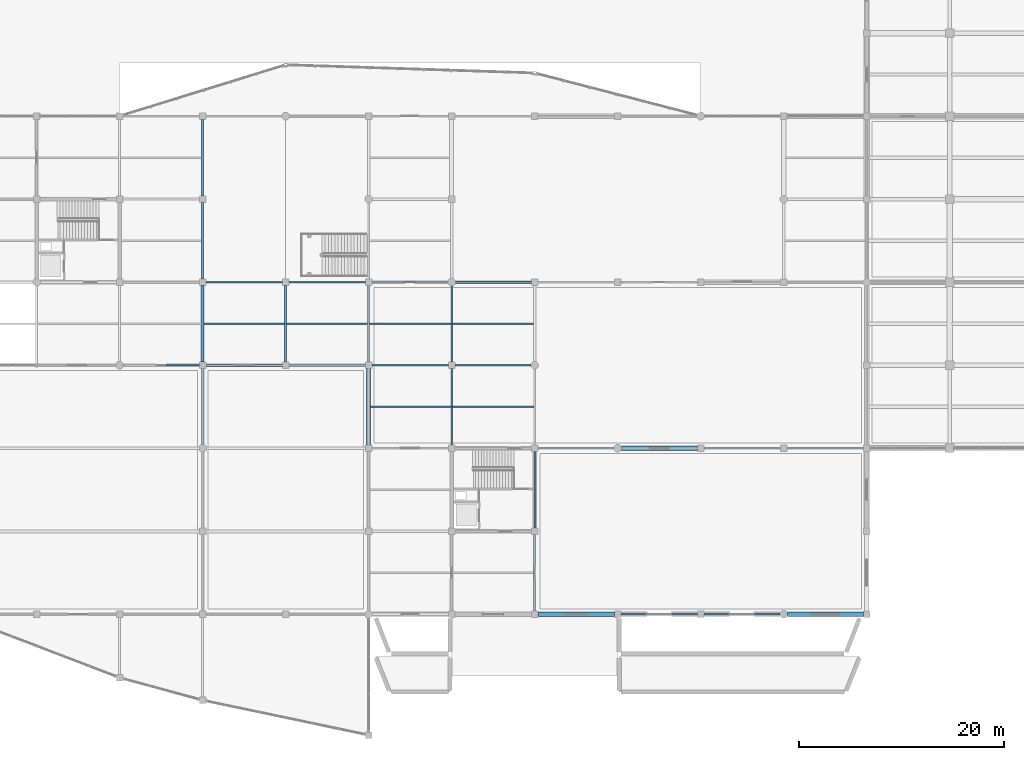
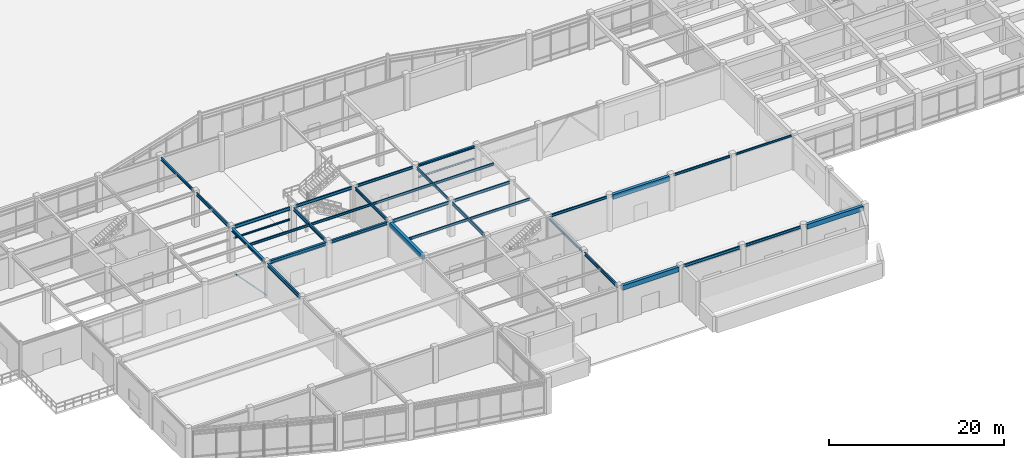
# One storey, part 27 of 99: 35 beams, 1 member.
"""IFC4 building model written with IfcOpenShell, lengths in metres."""

from ifc_helpers import new_model, si_unit, direction, frame, origin, origin_2d, place, context, subcontext, project, spatial, rectangle, hollow_rectangle, i_section, extrude, material, material_profile, profile_set, type_object, element, save


model = new_model("IFC4")

# Units and contexts
model_context = context("Model", 3, precision=1e-05, world=origin(), true_north=direction((0.0, 1.0)))
body_context = subcontext(model_context, "Body", "Model", "MODEL_VIEW")
ifc_project = project(units=[si_unit("LENGTHUNIT", "METRE"), si_unit("AREAUNIT", "SQUARE_METRE"), si_unit("VOLUMEUNIT", "CUBIC_METRE"), si_unit("PLANEANGLEUNIT", "RADIAN"), si_unit("MASSUNIT", "GRAM", prefix="KILO")], contexts=[model_context])

# Site, building, storey
site_placement = place(None, origin())
site = spatial("IfcSite", under=ifc_project, at=site_placement, CompositionType="ELEMENT")
building_placement = place(site_placement, origin())
building = spatial("IfcBuilding", under=site, at=building_placement, Name="Vaudrelin Polytechnic", CompositionType="ELEMENT")
storey_placement = place(building_placement, origin())
storey = spatial("IfcBuildingStorey", under=building, at=storey_placement, Name="L00", CompositionType="ELEMENT", Elevation=0.0)

# Beams
ifc_material_1 = material(Name="Steel CSA G40.21 350W", Category="steel")
ifc_material_profile_1 = material_profile(ifc_material_1, i_section(OverallWidth=0.178955078125, OverallDepth=0.409912109375, WebThickness=0.0087890625, FlangeThickness=0.014404296875, FilletRadius=0.01611328125, at=origin_2d()), Name="W410x67")
ifc_profile_set_1 = profile_set([ifc_material_profile_1], Name="Steel CSA G40.21 350W")
beam_type_1 = type_object("IfcBeamType", Name="BM-BM-W410", PredefinedType="BEAM", material=ifc_profile_set_1)
for number, where, z_axis, x_axis, name in (
    (1, (64.800048828125, 40.81005859375, 4.614990234375), (0.0, 1.0, 0.0), (-1.0, 0.0, 0.0), "L00 Y-beam 9-6"),
    (2, (81.0, 24.610107421875, 4.614990234375), (0.0, 1.0, 0.0), (-1.0, 0.0, 0.0), "L00 Y-beam 11-4"),
    (3, (89.10009765625, 16.510009765625, 4.614990234375), (0.0, 1.0, 0.0), (-1.0, 0.0, 0.0), "L00 Y-beam 12-3"),
    (4, (97.199951171875, 8.409912109375, 4.614990234375), (0.0, 1.0, 0.0), (-1.0, 0.0, 0.0), "L00 Y-beam 13-2"),
):
    element("IfcBeam", number, at=place(storey_placement, frame(where, z_axis=z_axis, x_axis=x_axis)), inside=storey, type_object=beam_type_1, Name=name, PredefinedType="BEAM", context=body_context, shape_type="SweptSolid", body=[
        extrude(i_section(OverallWidth=0.178955078125, OverallDepth=0.409912109375, WebThickness=0.0087890625, FlangeThickness=0.014404296875, FilletRadius=0.01611328125, at=origin_2d()), origin(), (0.0, 0.0, 1.0), 7.47998046875),
    ])
for number, where, z_axis, x_axis, name in (
    (5, (73.220947265625, 32.39990234375, 4.614990234375), (1.0, 0.0, 0.0), (0.0, 1.0, 0.0), "L00 X-beam 10-5"),
    (6, (81.321044921875, 24.300048828125, 4.614990234375), (1.0, 0.0, 0.0), (0.0, 1.0, 0.0), "L00 X-beam 11-4"),
    (7, (105.62109375, 0.0, 4.614990234375), (1.0, 0.0, 0.0), (0.0, 1.0, 0.0), "L00 X-beam 14-1"),
):
    element("IfcBeam", number, at=place(storey_placement, frame(where, z_axis=z_axis, x_axis=x_axis)), inside=storey, type_object=beam_type_1, Name=name, PredefinedType="BEAM", context=body_context, shape_type="SweptSolid", body=[
        extrude(i_section(OverallWidth=0.178955078125, OverallDepth=0.409912109375, WebThickness=0.0087890625, FlangeThickness=0.014404296875, FilletRadius=0.01611328125, at=origin_2d()), origin(), (0.0, 0.0, 1.0), 7.4580078125),
    ])
ifc_material_2 = material(Name="Steel CSA G40.21 350WT", Category="steel")
ifc_material_profile_2 = material_profile(ifc_material_2, i_section(OverallWidth=0.260009765625, OverallDepth=0.4150390625, WebThickness=0.010009765625, FlangeThickness=0.016845703125, FilletRadius=0.01611328125, at=origin_2d()), Name="W410x100")
ifc_profile_set_2 = profile_set([ifc_material_profile_2], Name="Steel CSA G40.21 350WT")
beam_type_2 = type_object("IfcBeamType", Name="BM-BM-W410H", PredefinedType="SPANDREL", material=ifc_profile_set_2)
beam_1_placement = place(storey_placement, frame((73.220947265625, 24.300048828125, 4.612548828125), z_axis=(1.0, 0.0, 0.0), x_axis=(0.0, 1.0, 0.0)))
element("IfcBeam", 8, at=beam_1_placement, inside=storey, type_object=beam_type_2, Name="L00 X-beam 10-4", PredefinedType="SPANDREL", context=body_context, shape_type="SweptSolid", body=[
    extrude(i_section(OverallWidth=0.260009765625, OverallDepth=0.4150390625, WebThickness=0.010009765625, FlangeThickness=0.016845703125, FilletRadius=0.01611328125, at=origin_2d()), origin(), (0.0, 0.0, 1.0), 7.4580078125),
])
ifc_material_profile_3 = material_profile(ifc_material_2, i_section(OverallWidth=0.19091796875, OverallDepth=0.4599609375, WebThickness=0.010009765625, FlangeThickness=0.01611328125, FilletRadius=0.01806640625, at=origin_2d()), Name="W460x82")
ifc_profile_set_3 = profile_set([ifc_material_profile_3], Name="Steel CSA G40.21 350WT")
beam_type_3 = type_object("IfcBeamType", Name="BM-BM-W460", PredefinedType="BEAM", material=ifc_profile_set_3)
for number, where, z_axis, x_axis, name in (
    (9, (64.800048828125, 32.7099609375, 4.590087890625), (0.0, 1.0, 0.0), (-1.0, 0.0, 0.0), "L00 Y-beam 9-5"),
    (10, (72.89990234375, 24.610107421875, 4.590087890625), (0.0, 1.0, 0.0), (-1.0, 0.0, 0.0), "L00 Y-beam 10-4"),
    (11, (97.199951171875, 0.31005859375, 4.590087890625), (0.0, 1.0, 0.0), (-1.0, 0.0, 0.0), "L00 Y-beam 13-1"),
):
    element("IfcBeam", number, at=place(storey_placement, frame(where, z_axis=z_axis, x_axis=x_axis)), inside=storey, type_object=beam_type_3, Name=name, PredefinedType="BEAM", context=body_context, shape_type="SweptSolid", body=[
        extrude(i_section(OverallWidth=0.19091796875, OverallDepth=0.4599609375, WebThickness=0.010009765625, FlangeThickness=0.01611328125, FilletRadius=0.01806640625, at=origin_2d()), origin(), (0.0, 0.0, 1.0), 7.47998046875),
    ])
beam_2_placement = place(storey_placement, frame((65.12109375, 32.39990234375, 4.590087890625), z_axis=(1.0, 0.0, 0.0), x_axis=(0.0, 1.0, 0.0)))
element("IfcBeam", 12, at=beam_2_placement, inside=storey, type_object=beam_type_3, Name="L00 X-beam 9-5", PredefinedType="BEAM", context=body_context, shape_type="SweptSolid", body=[
    extrude(i_section(OverallWidth=0.19091796875, OverallDepth=0.4599609375, WebThickness=0.010009765625, FlangeThickness=0.01611328125, FilletRadius=0.01806640625, at=origin_2d()), origin(), (0.0, 0.0, 1.0), 7.4580078125),
])
ifc_material_profile_4 = material_profile(ifc_material_1, i_section(OverallWidth=0.280029296875, OverallDepth=0.462890625, WebThickness=0.0107421875, FlangeThickness=0.017333984375, FilletRadius=0.01806640625, at=origin_2d()), Name="W460x113")
ifc_profile_set_4 = profile_set([ifc_material_profile_4], Name="Steel CSA G40.21 350W")
beam_type_4 = type_object("IfcBeamType", Name="BM-BM-W460H", PredefinedType="BEAM", material=ifc_profile_set_4)
beam_3_placement = place(storey_placement, frame((64.800048828125, 24.610107421875, 4.58837890625), z_axis=(0.0, 1.0, 0.0), x_axis=(-1.0, 0.0, 0.0)))
element("IfcBeam", 13, at=beam_3_placement, inside=storey, type_object=beam_type_4, Name="L00 Y-beam 9-4", PredefinedType="BEAM", context=body_context, shape_type="SweptSolid", body=[
    extrude(i_section(OverallWidth=0.280029296875, OverallDepth=0.462890625, WebThickness=0.0107421875, FlangeThickness=0.017333984375, FilletRadius=0.01806640625, at=origin_2d()), origin(), (0.0, 0.0, 1.0), 7.47998046875),
])
beam_4_placement = place(storey_placement, frame((65.12109375, 24.300048828125, 4.58837890625), z_axis=(1.0, 0.0, 0.0), x_axis=(0.0, 1.0, 0.0)))
element("IfcBeam", 14, at=beam_4_placement, inside=storey, type_object=beam_type_4, Name="L00 X-beam 9-4", PredefinedType="BEAM", context=body_context, shape_type="SweptSolid", body=[
    extrude(i_section(OverallWidth=0.280029296875, OverallDepth=0.462890625, WebThickness=0.0107421875, FlangeThickness=0.017333984375, FilletRadius=0.01806640625, at=origin_2d()), origin(), (0.0, 0.0, 1.0), 7.4580078125),
])
ifc_material_profile_5 = material_profile(ifc_material_1, i_section(OverallWidth=0.208984375, OverallDepth=0.532958984375, WebThickness=0.01025390625, FlangeThickness=0.015625, FilletRadius=0.01904296875, at=origin_2d()), Name="W530x92")
ifc_profile_set_5 = profile_set([ifc_material_profile_5], Name="Steel CSA G40.21 350W")
beam_type_5 = type_object("IfcBeamType", Name="BM-BM-W530", PredefinedType="BEAM", material=ifc_profile_set_5)
beam_5_placement = place(storey_placement, frame((64.800048828125, 16.56005859375, 4.553466796875), z_axis=(0.0, 1.0, 0.0), x_axis=(-1.0, 0.0, 0.0)))
element("IfcBeam", 15, at=beam_5_placement, inside=storey, type_object=beam_type_5, Name="L00 Y-beam 9-3", PredefinedType="BEAM", context=body_context, shape_type="SweptSolid", body=[
    extrude(i_section(OverallWidth=0.208984375, OverallDepth=0.532958984375, WebThickness=0.01025390625, FlangeThickness=0.015625, FilletRadius=0.01904296875, at=origin_2d()), origin(), (0.0, 0.0, 1.0), 7.429931640625),
])
ifc_material_profile_6 = material_profile(ifc_material_1, i_section(OverallWidth=0.14794921875, OverallDepth=0.26611328125, WebThickness=0.007568359375, FlangeThickness=0.012939453125, FilletRadius=0.012939453125, at=origin_2d()), Name="W250x45")
ifc_profile_set_6 = profile_set([ifc_material_profile_6], Name="Steel CSA G40.21 350W")
beam_type_6 = type_object("IfcBeamType", Name="BM-JS-W250", PredefinedType="JOIST", material=ifc_profile_set_6)
beam_6_placement = place(storey_placement, frame((121.821044921875, 16.199951171875, 4.68701171875), z_axis=(1.0, 0.0, 0.0), x_axis=(0.0, 1.0, 0.0)))
element("IfcBeam", 16, at=beam_6_placement, inside=storey, type_object=beam_type_6, Name="L00 X-beam 16-3", PredefinedType="JOIST", context=body_context, shape_type="SweptSolid", body=[
    extrude(i_section(OverallWidth=0.14794921875, OverallDepth=0.26611328125, WebThickness=0.007568359375, FlangeThickness=0.012939453125, FilletRadius=0.012939453125, at=origin_2d()), origin(), (0.0, 0.0, 1.0), 7.4580078125),
])
ifc_material_profile_7 = material_profile(ifc_material_1, i_section(OverallWidth=0.1669921875, OverallDepth=0.31689453125, WebThickness=0.007568359375, FlangeThickness=0.01318359375, FilletRadius=0.013916015625, at=origin_2d()), Name="W310x52")
ifc_profile_set_7 = profile_set([ifc_material_profile_7], Name="Steel CSA G40.21 350W")
beam_type_7 = type_object("IfcBeamType", Name="BM-JS-W310", PredefinedType="JOIST", material=ifc_profile_set_7)
beam_7_placement = place(storey_placement, frame((64.93603515625, 28.35009765625, 4.66162109375), z_axis=(1.0, 0.0, 0.0), x_axis=(0.0, 1.0, 0.0)))
element("IfcBeam", 17, at=beam_7_placement, inside=storey, type_object=beam_type_7, Name="L00 floor joist 9-4", PredefinedType="JOIST", context=body_context, shape_type="SweptSolid", body=[
    extrude(i_section(OverallWidth=0.1669921875, OverallDepth=0.31689453125, WebThickness=0.007568359375, FlangeThickness=0.01318359375, FilletRadius=0.013916015625, at=origin_2d()), origin(), (0.0, 0.0, 1.0), 7.87255859375),
])
beam_8_placement = place(storey_placement, frame((72.991455078125, 28.35009765625, 4.66162109375), z_axis=(1.0, 0.0, 0.0), x_axis=(0.0, 1.0, 0.0)))
element("IfcBeam", 18, at=beam_8_placement, inside=storey, type_object=beam_type_7, Name="L00 floor joist 10-4", PredefinedType="JOIST", context=body_context, shape_type="SweptSolid", body=[
    extrude(i_section(OverallWidth=0.1669921875, OverallDepth=0.31689453125, WebThickness=0.007568359375, FlangeThickness=0.01318359375, FilletRadius=0.013916015625, at=origin_2d()), origin(), (0.0, 0.0, 1.0), 7.923095703125),
])
beam_9_placement = place(storey_placement, frame((81.196044921875, 20.25, 4.66162109375), z_axis=(1.0, 0.0, 0.0), x_axis=(0.0, 1.0, 0.0)))
element("IfcBeam", 19, at=beam_9_placement, inside=storey, type_object=beam_type_7, Name="L00 floor joist 11-3", PredefinedType="JOIST", context=body_context, shape_type="SweptSolid", body=[
    extrude(i_section(OverallWidth=0.1669921875, OverallDepth=0.31689453125, WebThickness=0.007568359375, FlangeThickness=0.01318359375, FilletRadius=0.013916015625, at=origin_2d()), origin(), (0.0, 0.0, 1.0), 7.818359375),
])
beam_10_placement = place(storey_placement, frame((81.08544921875, 28.35009765625, 4.66162109375), z_axis=(1.0, 0.0, 0.0), x_axis=(0.0, 1.0, 0.0)))
element("IfcBeam", 20, at=beam_10_placement, inside=storey, type_object=beam_type_7, Name="L00 floor joist 11-4", PredefinedType="JOIST", context=body_context, shape_type="SweptSolid", body=[
    extrude(i_section(OverallWidth=0.1669921875, OverallDepth=0.31689453125, WebThickness=0.007568359375, FlangeThickness=0.01318359375, FilletRadius=0.013916015625, at=origin_2d()), origin(), (0.0, 0.0, 1.0), 7.9326171875),
])
beam_11_placement = place(storey_placement, frame((89.185546875, 20.25, 4.66162109375), z_axis=(1.0, 0.0, 0.0), x_axis=(0.0, 1.0, 0.0)))
element("IfcBeam", 21, at=beam_11_placement, inside=storey, type_object=beam_type_7, Name="L00 floor joist 12-3", PredefinedType="JOIST", context=body_context, shape_type="SweptSolid", body=[
    extrude(i_section(OverallWidth=0.1669921875, OverallDepth=0.31689453125, WebThickness=0.007568359375, FlangeThickness=0.01318359375, FilletRadius=0.013916015625, at=origin_2d()), origin(), (0.0, 0.0, 1.0), 7.932373046875),
])
beam_12_placement = place(storey_placement, frame((89.181884765625, 28.35009765625, 4.66162109375), z_axis=(1.0, 0.0, 0.0), x_axis=(0.0, 1.0, 0.0)))
element("IfcBeam", 22, at=beam_12_placement, inside=storey, type_object=beam_type_7, Name="L00 floor joist 12-4", PredefinedType="JOIST", context=body_context, shape_type="SweptSolid", body=[
    extrude(i_section(OverallWidth=0.1669921875, OverallDepth=0.31689453125, WebThickness=0.007568359375, FlangeThickness=0.01318359375, FilletRadius=0.013916015625, at=origin_2d()), origin(), (0.0, 0.0, 1.0), 7.89501953125),
])
beam_13_placement = place(storey_placement, frame((113.720947265625, 16.199951171875, 4.66162109375), z_axis=(1.0, 0.0, 0.0), x_axis=(0.0, 1.0, 0.0)))
element("IfcBeam", 23, at=beam_13_placement, inside=storey, type_object=beam_type_7, Name="L00 X-beam 15-3", PredefinedType="JOIST", context=body_context, shape_type="SweptSolid", body=[
    extrude(i_section(OverallWidth=0.1669921875, OverallDepth=0.31689453125, WebThickness=0.007568359375, FlangeThickness=0.01318359375, FilletRadius=0.013916015625, at=origin_2d()), origin(), (0.0, 0.0, 1.0), 7.4580078125),
])
ifc_material_profile_8 = material_profile(ifc_material_2, i_section(OverallWidth=0.25390625, OverallDepth=0.305908203125, WebThickness=0.0087890625, FlangeThickness=0.0146484375, FilletRadius=0.01611328125, at=origin_2d()), Name="W310x79")
ifc_profile_set_8 = profile_set([ifc_material_profile_8], Name="Steel CSA G40.21 350WT")
beam_type_8 = type_object("IfcBeamType", Name="BM-JS-W310H", PredefinedType="SPANDREL", material=ifc_profile_set_8)
beam_14_placement = place(storey_placement, frame((89.470947265625, 32.39990234375, 4.6669921875), z_axis=(1.0, 0.0, 0.0), x_axis=(0.0, 1.0, 0.0)))
element("IfcBeam", 24, at=beam_14_placement, inside=storey, type_object=beam_type_8, Name="L00 X-beam 12-5", PredefinedType="SPANDREL", context=body_context, shape_type="SweptSolid", body=[
    extrude(i_section(OverallWidth=0.25390625, OverallDepth=0.305908203125, WebThickness=0.0087890625, FlangeThickness=0.0146484375, FilletRadius=0.01611328125, at=origin_2d()), origin(), (0.0, 0.0, 1.0), 7.407958984375),
])
ifc_material_profile_9 = material_profile(ifc_material_1, i_section(OverallWidth=0.172119140625, OverallDepth=0.35791015625, WebThickness=0.0078125, FlangeThickness=0.01318359375, FilletRadius=0.014892578125, at=origin_2d()), Name="W360x57")
ifc_profile_set_9 = profile_set([ifc_material_profile_9], Name="Steel CSA G40.21 350W")
beam_type_9 = type_object("IfcBeamType", Name="BM-JS-W360", PredefinedType="JOIST", material=ifc_profile_set_9)
beam_15_placement = place(storey_placement, frame((89.10009765625, 24.610107421875, 4.64111328125), z_axis=(0.0, 1.0, 0.0), x_axis=(-1.0, 0.0, 0.0)))
element("IfcBeam", 25, at=beam_15_placement, inside=storey, type_object=beam_type_9, Name="L00 Y-beam 12-4", PredefinedType="JOIST", context=body_context, shape_type="SweptSolid", body=[
    extrude(i_section(OverallWidth=0.172119140625, OverallDepth=0.35791015625, WebThickness=0.0078125, FlangeThickness=0.01318359375, FilletRadius=0.014892578125, at=origin_2d()), origin(), (0.0, 0.0, 1.0), 7.429931640625),
])
beam_16_placement = place(storey_placement, frame((81.321044921875, 32.39990234375, 4.64111328125), z_axis=(1.0, 0.0, 0.0), x_axis=(0.0, 1.0, 0.0)))
element("IfcBeam", 26, at=beam_16_placement, inside=storey, type_object=beam_type_9, Name="L00 X-beam 11-5", PredefinedType="JOIST", context=body_context, shape_type="SweptSolid", body=[
    extrude(i_section(OverallWidth=0.172119140625, OverallDepth=0.35791015625, WebThickness=0.0078125, FlangeThickness=0.01318359375, FilletRadius=0.014892578125, at=origin_2d()), origin(), (0.0, 0.0, 1.0), 7.407958984375),
])
beam_17_placement = place(storey_placement, frame((89.4208984375, 24.300048828125, 4.64111328125), z_axis=(1.0, 0.0, 0.0), x_axis=(0.0, 1.0, 0.0)))
element("IfcBeam", 27, at=beam_17_placement, inside=storey, type_object=beam_type_9, Name="L00 X-beam 12-4", PredefinedType="JOIST", context=body_context, shape_type="SweptSolid", body=[
    extrude(i_section(OverallWidth=0.172119140625, OverallDepth=0.35791015625, WebThickness=0.0078125, FlangeThickness=0.01318359375, FilletRadius=0.014892578125, at=origin_2d()), origin(), (0.0, 0.0, 1.0), 7.408203125),
])
for number, where, z_axis, x_axis, name in (
    (28, (97.52099609375, 16.199951171875, 4.64111328125), (1.0, 0.0, 0.0), (0.0, 1.0, 0.0), "L00 X-beam 13-3"),
    (29, (113.720947265625, 0.0, 4.64111328125), (1.0, 0.0, 0.0), (0.0, 1.0, 0.0), "L00 X-beam 15-1"),
):
    element("IfcBeam", number, at=place(storey_placement, frame(where, z_axis=z_axis, x_axis=x_axis)), inside=storey, type_object=beam_type_9, Name=name, PredefinedType="JOIST", context=body_context, shape_type="SweptSolid", body=[
        extrude(i_section(OverallWidth=0.172119140625, OverallDepth=0.35791015625, WebThickness=0.0078125, FlangeThickness=0.01318359375, FilletRadius=0.014892578125, at=origin_2d()), origin(), (0.0, 0.0, 1.0), 7.407958984375),
    ])
ifc_material_profile_10 = material_profile(ifc_material_1, i_section(OverallWidth=0.1650390625, OverallDepth=0.200927734375, WebThickness=0.006103515625, FlangeThickness=0.01025390625, FilletRadius=0.010986328125, at=origin_2d()), Name="W200x36")
ifc_profile_set_10 = profile_set([ifc_material_profile_10], Name="Steel CSA G40.21 350W")
beam_type_10 = type_object("IfcBeamType", Name="BM-LN-W200", PredefinedType="LINTEL", material=ifc_profile_set_10)
beam_18_placement = place(storey_placement, frame((65.12109375, 32.39990234375, 3.050048828125), z_axis=(1.0, 0.0, 0.0), x_axis=(0.0, 1.0, 0.0)))
element("IfcBeam", 30, at=beam_18_placement, inside=storey, type_object=beam_type_10, Name="Portal opening lintel LN-06", PredefinedType="LINTEL", context=body_context, shape_type="SweptSolid", body=[
    extrude(i_section(OverallWidth=0.1650390625, OverallDepth=0.200927734375, WebThickness=0.006103515625, FlangeThickness=0.01025390625, FilletRadius=0.010986328125, at=origin_2d()), origin(), (0.0, 0.0, 1.0), 7.4580078125),
])
beam_19_placement = place(storey_placement, frame((89.470947265625, 32.39990234375, 3.050048828125), z_axis=(1.0, 0.0, 0.0), x_axis=(0.0, 1.0, 0.0)))
element("IfcBeam", 31, at=beam_19_placement, inside=storey, type_object=beam_type_10, Name="Portal opening lintel LN-07", PredefinedType="LINTEL", context=body_context, shape_type="SweptSolid", body=[
    extrude(i_section(OverallWidth=0.1650390625, OverallDepth=0.200927734375, WebThickness=0.006103515625, FlangeThickness=0.01025390625, FilletRadius=0.010986328125, at=origin_2d()), origin(), (0.0, 0.0, 1.0), 7.407958984375),
])
ifc_material_3 = material(Name="Concrete 40 MPa", Category="concrete")
ifc_material_profile_11 = material_profile(ifc_material_3, rectangle(XDim=0.39990234375, YDim=0.64990234375, at=origin_2d()), Name="RC400x650")
ifc_profile_set_11 = profile_set([ifc_material_profile_11], Name="Concrete 40 MPa")
beam_type_11 = type_object("IfcBeamType", Name="BM-SP-RC4065", PredefinedType="SPANDREL", material=ifc_profile_set_11)
beam_20_placement = place(storey_placement, frame((81.0, 16.510009765625, 4.4951171875), z_axis=(0.0, 1.0, 0.0), x_axis=(-1.0, 0.0, 0.0)))
element("IfcBeam", 32, at=beam_20_placement, inside=storey, type_object=beam_type_11, Name="L00 Y-beam 11-3", PredefinedType="SPANDREL", context=body_context, shape_type="SweptSolid", body=[
    extrude(rectangle(XDim=0.39990234375, YDim=0.64990234375, at=origin_2d()), origin(), (0.0, 0.0, 1.0), 7.47998046875),
])
beam_21_placement = place(storey_placement, frame((97.52099609375, 0.0, 4.4951171875), z_axis=(1.0, 0.0, 0.0), x_axis=(0.0, 1.0, 0.0)))
element("IfcBeam", 33, at=beam_21_placement, inside=storey, type_object=beam_type_11, Name="L00 X-beam 13-1", PredefinedType="SPANDREL", context=body_context, shape_type="SweptSolid", body=[
    extrude(rectangle(XDim=0.39990234375, YDim=0.64990234375, at=origin_2d()), origin(), (0.0, 0.0, 1.0), 7.4580078125),
])
beam_22_placement = place(storey_placement, frame((105.6708984375, 16.199951171875, 4.4951171875), z_axis=(1.0, 0.0, 0.0), x_axis=(0.0, 1.0, 0.0)))
element("IfcBeam", 34, at=beam_22_placement, inside=storey, type_object=beam_type_11, Name="L00 X-beam 14-3", PredefinedType="SPANDREL", context=body_context, shape_type="SweptSolid", body=[
    extrude(rectangle(XDim=0.39990234375, YDim=0.64990234375, at=origin_2d()), origin(), (0.0, 0.0, 1.0), 7.408203125),
])
beam_23_placement = place(storey_placement, frame((121.87109375, 0.0, 4.4951171875), z_axis=(1.0, 0.0, 0.0), x_axis=(0.0, 1.0, 0.0)))
element("IfcBeam", 35, at=beam_23_placement, inside=storey, type_object=beam_type_11, Name="L00 X-beam 16-1", PredefinedType="SPANDREL", context=body_context, shape_type="SweptSolid", body=[
    extrude(rectangle(XDim=0.39990234375, YDim=0.64990234375, at=origin_2d()), origin(), (0.0, 0.0, 1.0), 7.407958984375),
])

# Member
ifc_material_profile_12 = material_profile(ifc_material_1, hollow_rectangle(XDim=0.152099609375, YDim=0.152099609375, WallThickness=0.008056640625, InnerFilletRadius=0.008056640625, OuterFilletRadius=0.01611328125, at=origin_2d()), Name="HSS152x152x8.0")
ifc_profile_set_12 = profile_set([ifc_material_profile_12], Name="Steel CSA G40.21 350W")
member_type = type_object("IfcMemberType", Name="MEM-BF-D01", PredefinedType="BRACE", material=ifc_profile_set_12)
member_placement = place(storey_placement, frame((64.800048828125, 24.300048828125, 0.14990234375), z_axis=(-0.684186664105, 0.0, 0.729306937209), x_axis=(0.0, -1.0, 0.0)))
element("IfcMember", 36, at=member_placement, inside=storey, type_object=member_type, Name="Chevron brace BF-05B", PredefinedType="BRACE", context=body_context, shape_type="SweptSolid", body=[
    extrude(hollow_rectangle(XDim=0.152099609375, YDim=0.152099609375, WallThickness=0.008056640625, InnerFilletRadius=0.008056640625, OuterFilletRadius=0.01611328125, at=origin_2d()), origin(), (0.0, 0.0, 1.0), 5.91943359375),
])

save(model, "model.ifc")
